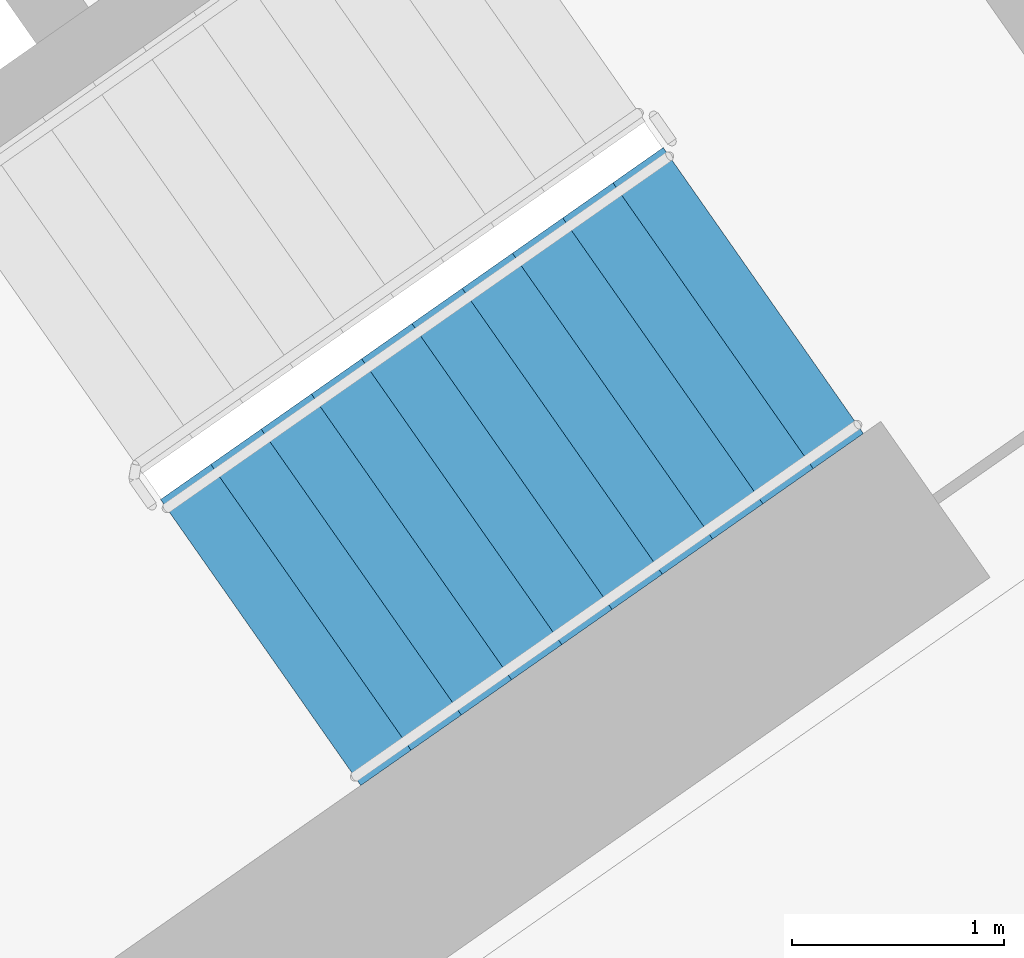
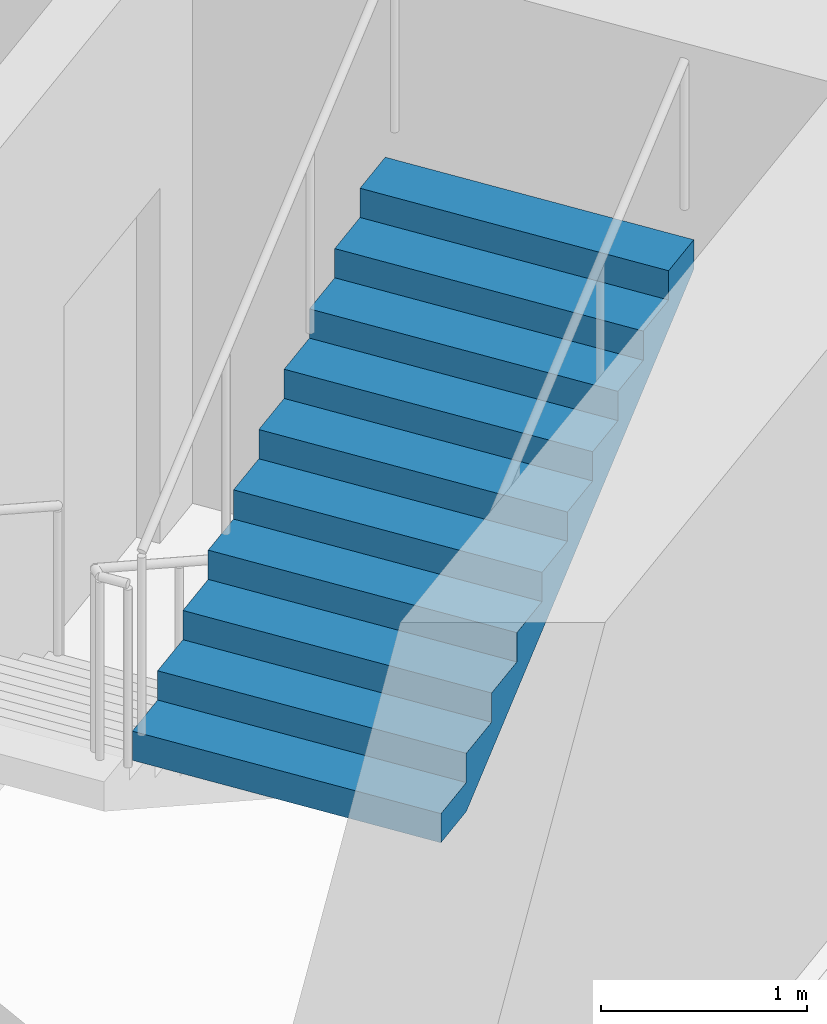
# One storey, part 16 of 29: 1 stair flight, 1 element without a shape of its own.
"""IFC4 building model written with IfcOpenShell, lengths in metres."""

from ifc_helpers import new_model, si_unit, direction, frame, origin, place, context, subcontext, project, spatial, faceted_brep, material, type_object, element, aggregate, save


model = new_model("IFC4")

# Units and contexts
model_context = context("Model", 3, precision=1e-05, world=origin(), true_north=direction((0.0, 1.0)))
body_context = subcontext(model_context, "Body", "Model", "MODEL_VIEW")
ifc_project = project(units=[si_unit("LENGTHUNIT", "METRE"), si_unit("AREAUNIT", "SQUARE_METRE"), si_unit("VOLUMEUNIT", "CUBIC_METRE"), si_unit("PLANEANGLEUNIT", "RADIAN"), si_unit("MASSUNIT", "GRAM", prefix="KILO")], contexts=[model_context])

# Site, building, storey
site_placement = place(None, origin())
site = spatial("IfcSite", under=ifc_project, at=site_placement, CompositionType="ELEMENT")
building_placement = place(site_placement, origin())
building = spatial("IfcBuilding", under=site, at=building_placement, Name="Qamariyya Broadcast Tower", CompositionType="ELEMENT")
storey_placement = place(building_placement, frame((0.0, 0.0, 106.300048828125)))
storey = spatial("IfcBuildingStorey", under=building, at=storey_placement, Name="L23", CompositionType="ELEMENT", Elevation=106.300048828125)

# Stair, stair flight
ifc_material = material(Name="Concrete C50/60", Category="concrete")
stair_type = type_object("IfcStairType", Name="Exit stair 22 risers of 173 mm", PredefinedType="HALF_TURN_STAIR", material=ifc_material)
stair_placement = place(storey_placement, origin())
stair = element("IfcStair", 1, at=stair_placement, inside=storey, type_object=stair_type, Name="L23 Stair E1", PredefinedType="HALF_TURN_STAIR")
stair_flight_type = type_object("IfcStairFlightType", Name="Exit stair flight 11 risers of 173 mm", PredefinedType="STRAIGHT", material=ifc_material)
stair_flight_placement = place(storey_placement, frame((44.693359375, -58.64599609375, 1.89990234375), z_axis=(0.0, 0.0, 1.0), x_axis=(0.819152044289, 0.573576436351, 0.0)))
stair_flight = element("IfcStairFlight", 2, at=stair_flight_placement, type_object=stair_flight_type, Name="ST-E1 flight 2", NumberOfRisers=11, NumberOfTreads=10, PredefinedType="STRAIGHT", RiserHeight=0.172727273, TreadLength=0.29, context=body_context, shape_type="Brep", body=[
    faceted_brep([(0.0, 0.824951171875, 0.0), (0.0, 0.824951171875, 0.172607421875), (0.2900390625, 0.824951171875, 0.172607421875), (0.2900390625, 0.824951171875, 0.345458984375), (0.580078125, 0.824951171875, 0.345458984375), (0.580078125, 0.824951171875, 0.51806640625), (0.8701171875, 0.824951171875, 0.51806640625), (0.8701171875, 0.824951171875, 0.69091796875), (1.159912109375, 0.824951171875, 0.69091796875), (1.159912109375, 0.824951171875, 0.863525390625), (1.449951171875, 0.824951171875, 0.863525390625), (1.449951171875, 0.824951171875, 1.036376953125), (1.739990234375, 0.824951171875, 1.036376953125), (1.739990234375, 0.824951171875, 1.208984375), (2.030029296875, 0.824951171875, 1.208984375), (2.030029296875, 0.824951171875, 1.3818359375), (2.320068359375, 0.824951171875, 1.3818359375), (2.320068359375, 0.824951171875, 1.554443359375), (2.610107421875, 0.824951171875, 1.554443359375), (2.610107421875, 0.824951171875, 1.727294921875), (2.89990234375, 0.824951171875, 1.727294921875), (2.89990234375, 0.824951171875, 1.552734375), (0.29296875, 0.824951171875, 0.0), (0.29296875, -0.824951171875, 0.0), (2.89990234375, -0.824951171875, 1.552734375), (2.89990234375, -0.824951171875, 1.727294921875), (2.610107421875, -0.824951171875, 1.727294921875), (2.610107421875, -0.824951171875, 1.554443359375), (2.320068359375, -0.824951171875, 1.554443359375), (2.320068359375, -0.824951171875, 1.3818359375), (2.030029296875, -0.824951171875, 1.3818359375), (2.030029296875, -0.824951171875, 1.208984375), (1.739990234375, -0.824951171875, 1.208984375), (1.739990234375, -0.824951171875, 1.036376953125), (1.449951171875, -0.824951171875, 1.036376953125), (1.449951171875, -0.824951171875, 0.863525390625), (1.159912109375, -0.824951171875, 0.863525390625), (1.159912109375, -0.824951171875, 0.69091796875), (0.8701171875, -0.824951171875, 0.69091796875), (0.8701171875, -0.824951171875, 0.51806640625), (0.580078125, -0.824951171875, 0.51806640625), (0.580078125, -0.824951171875, 0.345458984375), (0.2900390625, -0.824951171875, 0.345458984375), (0.2900390625, -0.824951171875, 0.172607421875), (0.0, -0.824951171875, 0.172607421875), (0.0, -0.824951171875, 0.0), (0.0, 0.10009765625, 0.0), (0.0, 0.086669921875, 0.0), (0.0, 0.0732421875, 0.0), (0.0, 0.06005859375, 0.0), (0.0, 0.046630859375, 0.0), (0.0, 0.033447265625, 0.0), (0.0, 0.02001953125, 0.0), (0.0, 0.006591796875, 0.0), (0.0, -0.006591796875, 0.0), (0.0, -0.02001953125, 0.0), (0.0, -0.033447265625, 0.0), (0.0, -0.046630859375, 0.0), (0.0, -0.06005859375, 0.0), (0.0, -0.0732421875, 0.0), (0.0, -0.086669921875, 0.0), (0.0, -0.10009765625, 0.0), (0.0, -0.10009765625, 0.172607421875), (0.0, -0.086669921875, 0.172607421875), (0.0, -0.0732421875, 0.172607421875), (0.0, -0.06005859375, 0.172607421875), (0.0, -0.046630859375, 0.172607421875), (0.0, -0.033447265625, 0.172607421875), (0.0, -0.02001953125, 0.172607421875), (0.0, -0.006591796875, 0.172607421875), (0.0, 0.006591796875, 0.172607421875), (0.0, 0.02001953125, 0.172607421875), (0.0, 0.033447265625, 0.172607421875), (0.0, 0.046630859375, 0.172607421875), (0.0, 0.06005859375, 0.172607421875), (0.0, 0.0732421875, 0.172607421875), (0.0, 0.086669921875, 0.172607421875), (0.0, 0.10009765625, 0.172607421875), (0.2900390625, -0.10009765625, 0.172607421875), (0.2900390625, -0.086669921875, 0.172607421875), (0.2900390625, -0.0732421875, 0.172607421875), (0.2900390625, -0.06005859375, 0.172607421875), (0.2900390625, -0.046630859375, 0.172607421875), (0.2900390625, -0.033447265625, 0.172607421875), (0.2900390625, -0.02001953125, 0.172607421875), (0.2900390625, -0.006591796875, 0.172607421875), (0.2900390625, 0.006591796875, 0.172607421875), (0.2900390625, 0.02001953125, 0.172607421875), (0.2900390625, 0.033447265625, 0.172607421875), (0.2900390625, 0.046630859375, 0.172607421875), (0.2900390625, 0.06005859375, 0.172607421875), (0.2900390625, 0.0732421875, 0.172607421875), (0.2900390625, 0.086669921875, 0.172607421875), (0.2900390625, 0.10009765625, 0.172607421875), (0.2900390625, -0.10009765625, 0.345458984375), (0.2900390625, -0.086669921875, 0.345458984375), (0.2900390625, -0.0732421875, 0.345458984375), (0.2900390625, -0.06005859375, 0.345458984375), (0.2900390625, -0.046630859375, 0.345458984375), (0.2900390625, -0.033447265625, 0.345458984375), (0.2900390625, -0.02001953125, 0.345458984375), (0.2900390625, -0.006591796875, 0.345458984375), (0.2900390625, 0.006591796875, 0.345458984375), (0.2900390625, 0.02001953125, 0.345458984375), (0.2900390625, 0.033447265625, 0.345458984375), (0.2900390625, 0.046630859375, 0.345458984375), (0.2900390625, 0.06005859375, 0.345458984375), (0.2900390625, 0.0732421875, 0.345458984375), (0.2900390625, 0.086669921875, 0.345458984375), (0.2900390625, 0.10009765625, 0.345458984375), (0.580078125, -0.10009765625, 0.345458984375), (0.580078125, -0.086669921875, 0.345458984375), (0.580078125, -0.0732421875, 0.345458984375), (0.580078125, -0.06005859375, 0.345458984375), (0.580078125, -0.046630859375, 0.345458984375), (0.580078125, -0.033447265625, 0.345458984375), (0.580078125, -0.02001953125, 0.345458984375), (0.580078125, -0.006591796875, 0.345458984375), (0.580078125, 0.006591796875, 0.345458984375), (0.580078125, 0.02001953125, 0.345458984375), (0.580078125, 0.033447265625, 0.345458984375), (0.580078125, 0.046630859375, 0.345458984375), (0.580078125, 0.06005859375, 0.345458984375), (0.580078125, 0.0732421875, 0.345458984375), (0.580078125, 0.086669921875, 0.345458984375), (0.580078125, 0.10009765625, 0.345458984375), (0.580078125, -0.10009765625, 0.51806640625), (0.580078125, -0.086669921875, 0.51806640625), (0.580078125, -0.0732421875, 0.51806640625), (0.580078125, -0.06005859375, 0.51806640625), (0.580078125, -0.046630859375, 0.51806640625), (0.580078125, -0.033447265625, 0.51806640625), (0.580078125, -0.02001953125, 0.51806640625), (0.580078125, -0.006591796875, 0.51806640625), (0.580078125, 0.006591796875, 0.51806640625), (0.580078125, 0.02001953125, 0.51806640625), (0.580078125, 0.033447265625, 0.51806640625), (0.580078125, 0.046630859375, 0.51806640625), (0.580078125, 0.06005859375, 0.51806640625), (0.580078125, 0.0732421875, 0.51806640625), (0.580078125, 0.086669921875, 0.51806640625), (0.580078125, 0.10009765625, 0.51806640625), (0.8701171875, -0.10009765625, 0.51806640625), (0.8701171875, -0.086669921875, 0.51806640625), (0.8701171875, -0.0732421875, 0.51806640625), (0.8701171875, -0.06005859375, 0.51806640625), (0.8701171875, -0.046630859375, 0.51806640625), (0.8701171875, -0.033447265625, 0.51806640625), (0.8701171875, -0.02001953125, 0.51806640625), (0.8701171875, -0.006591796875, 0.51806640625), (0.8701171875, 0.006591796875, 0.51806640625), (0.8701171875, 0.02001953125, 0.51806640625), (0.8701171875, 0.033447265625, 0.51806640625), (0.8701171875, 0.046630859375, 0.51806640625), (0.8701171875, 0.06005859375, 0.51806640625), (0.8701171875, 0.0732421875, 0.51806640625), (0.8701171875, 0.086669921875, 0.51806640625), (0.8701171875, 0.10009765625, 0.51806640625), (0.8701171875, -0.10009765625, 0.69091796875), (0.8701171875, -0.086669921875, 0.69091796875), (0.8701171875, -0.0732421875, 0.69091796875), (0.8701171875, -0.06005859375, 0.69091796875), (0.8701171875, -0.046630859375, 0.69091796875), (0.8701171875, -0.033447265625, 0.69091796875), (0.8701171875, -0.02001953125, 0.69091796875), (0.8701171875, -0.006591796875, 0.69091796875), (0.8701171875, 0.006591796875, 0.69091796875), (0.8701171875, 0.02001953125, 0.69091796875), (0.8701171875, 0.033447265625, 0.69091796875), (0.8701171875, 0.046630859375, 0.69091796875), (0.8701171875, 0.06005859375, 0.69091796875), (0.8701171875, 0.0732421875, 0.69091796875), (0.8701171875, 0.086669921875, 0.69091796875), (0.8701171875, 0.10009765625, 0.69091796875), (1.159912109375, -0.10009765625, 0.69091796875), (1.159912109375, -0.086669921875, 0.69091796875), (1.159912109375, -0.0732421875, 0.69091796875), (1.159912109375, -0.06005859375, 0.69091796875), (1.159912109375, -0.046630859375, 0.69091796875), (1.159912109375, -0.033447265625, 0.69091796875), (1.159912109375, -0.02001953125, 0.69091796875), (1.159912109375, -0.006591796875, 0.69091796875), (1.159912109375, 0.006591796875, 0.69091796875), (1.159912109375, 0.02001953125, 0.69091796875), (1.159912109375, 0.033447265625, 0.69091796875), (1.159912109375, 0.046630859375, 0.69091796875), (1.159912109375, 0.06005859375, 0.69091796875), (1.159912109375, 0.0732421875, 0.69091796875), (1.159912109375, 0.086669921875, 0.69091796875), (1.159912109375, 0.10009765625, 0.69091796875), (1.159912109375, -0.10009765625, 0.863525390625), (1.159912109375, -0.086669921875, 0.863525390625), (1.159912109375, -0.0732421875, 0.863525390625), (1.159912109375, -0.06005859375, 0.863525390625), (1.159912109375, -0.046630859375, 0.863525390625), (1.159912109375, -0.033447265625, 0.863525390625), (1.159912109375, -0.02001953125, 0.863525390625), (1.159912109375, -0.006591796875, 0.863525390625), (1.159912109375, 0.006591796875, 0.863525390625), (1.159912109375, 0.02001953125, 0.863525390625), (1.159912109375, 0.033447265625, 0.863525390625), (1.159912109375, 0.046630859375, 0.863525390625), (1.159912109375, 0.06005859375, 0.863525390625), (1.159912109375, 0.0732421875, 0.863525390625), (1.159912109375, 0.086669921875, 0.863525390625), (1.159912109375, 0.10009765625, 0.863525390625), (1.449951171875, -0.10009765625, 0.863525390625), (1.449951171875, -0.086669921875, 0.863525390625), (1.449951171875, -0.0732421875, 0.863525390625), (1.449951171875, -0.06005859375, 0.863525390625), (1.449951171875, -0.046630859375, 0.863525390625), (1.449951171875, -0.033447265625, 0.863525390625), (1.449951171875, -0.02001953125, 0.863525390625), (1.449951171875, -0.006591796875, 0.863525390625), (1.449951171875, 0.006591796875, 0.863525390625), (1.449951171875, 0.02001953125, 0.863525390625), (1.449951171875, 0.033447265625, 0.863525390625), (1.449951171875, 0.046630859375, 0.863525390625), (1.449951171875, 0.06005859375, 0.863525390625), (1.449951171875, 0.0732421875, 0.863525390625), (1.449951171875, 0.086669921875, 0.863525390625), (1.449951171875, 0.10009765625, 0.863525390625), (1.449951171875, -0.10009765625, 1.036376953125), (1.449951171875, -0.086669921875, 1.036376953125), (1.449951171875, -0.0732421875, 1.036376953125), (1.449951171875, -0.06005859375, 1.036376953125), (1.449951171875, -0.046630859375, 1.036376953125), (1.449951171875, -0.033447265625, 1.036376953125), (1.449951171875, -0.02001953125, 1.036376953125), (1.449951171875, -0.006591796875, 1.036376953125), (1.449951171875, 0.006591796875, 1.036376953125), (1.449951171875, 0.02001953125, 1.036376953125), (1.449951171875, 0.033447265625, 1.036376953125), (1.449951171875, 0.046630859375, 1.036376953125), (1.449951171875, 0.06005859375, 1.036376953125), (1.449951171875, 0.0732421875, 1.036376953125), (1.449951171875, 0.086669921875, 1.036376953125), (1.449951171875, 0.10009765625, 1.036376953125), (1.739990234375, -0.10009765625, 1.036376953125), (1.739990234375, -0.086669921875, 1.036376953125), (1.739990234375, -0.0732421875, 1.036376953125), (1.739990234375, -0.06005859375, 1.036376953125), (1.739990234375, -0.046630859375, 1.036376953125), (1.739990234375, -0.033447265625, 1.036376953125), (1.739990234375, -0.02001953125, 1.036376953125), (1.739990234375, -0.006591796875, 1.036376953125), (1.739990234375, 0.006591796875, 1.036376953125), (1.739990234375, 0.02001953125, 1.036376953125), (1.739990234375, 0.033447265625, 1.036376953125), (1.739990234375, 0.046630859375, 1.036376953125), (1.739990234375, 0.06005859375, 1.036376953125), (1.739990234375, 0.0732421875, 1.036376953125), (1.739990234375, 0.086669921875, 1.036376953125), (1.739990234375, 0.10009765625, 1.036376953125), (1.739990234375, -0.10009765625, 1.208984375), (1.739990234375, -0.086669921875, 1.208984375), (1.739990234375, -0.0732421875, 1.208984375), (1.739990234375, -0.06005859375, 1.208984375), (1.739990234375, -0.046630859375, 1.208984375), (1.739990234375, -0.033447265625, 1.208984375), (1.739990234375, -0.02001953125, 1.208984375), (1.739990234375, -0.006591796875, 1.208984375), (1.739990234375, 0.006591796875, 1.208984375), (1.739990234375, 0.02001953125, 1.208984375), (1.739990234375, 0.033447265625, 1.208984375), (1.739990234375, 0.046630859375, 1.208984375), (1.739990234375, 0.06005859375, 1.208984375), (1.739990234375, 0.0732421875, 1.208984375), (1.739990234375, 0.086669921875, 1.208984375), (1.739990234375, 0.10009765625, 1.208984375), (2.030029296875, -0.10009765625, 1.208984375), (2.030029296875, -0.086669921875, 1.208984375), (2.030029296875, -0.0732421875, 1.208984375), (2.030029296875, -0.06005859375, 1.208984375), (2.030029296875, -0.046630859375, 1.208984375), (2.030029296875, -0.033447265625, 1.208984375), (2.030029296875, -0.02001953125, 1.208984375), (2.030029296875, -0.006591796875, 1.208984375), (2.030029296875, 0.006591796875, 1.208984375), (2.030029296875, 0.02001953125, 1.208984375), (2.030029296875, 0.033447265625, 1.208984375), (2.030029296875, 0.046630859375, 1.208984375), (2.030029296875, 0.06005859375, 1.208984375), (2.030029296875, 0.0732421875, 1.208984375), (2.030029296875, 0.086669921875, 1.208984375), (2.030029296875, 0.10009765625, 1.208984375), (2.030029296875, -0.10009765625, 1.3818359375), (2.030029296875, -0.086669921875, 1.3818359375), (2.030029296875, -0.0732421875, 1.3818359375), (2.030029296875, -0.06005859375, 1.3818359375), (2.030029296875, -0.046630859375, 1.3818359375), (2.030029296875, -0.033447265625, 1.3818359375), (2.030029296875, -0.02001953125, 1.3818359375), (2.030029296875, -0.006591796875, 1.3818359375), (2.030029296875, 0.006591796875, 1.3818359375), (2.030029296875, 0.02001953125, 1.3818359375), (2.030029296875, 0.033447265625, 1.3818359375), (2.030029296875, 0.046630859375, 1.3818359375), (2.030029296875, 0.06005859375, 1.3818359375), (2.030029296875, 0.0732421875, 1.3818359375), (2.030029296875, 0.086669921875, 1.3818359375), (2.030029296875, 0.10009765625, 1.3818359375), (2.320068359375, -0.10009765625, 1.3818359375), (2.320068359375, -0.086669921875, 1.3818359375), (2.320068359375, -0.0732421875, 1.3818359375), (2.320068359375, -0.06005859375, 1.3818359375), (2.320068359375, -0.046630859375, 1.3818359375), (2.320068359375, -0.033447265625, 1.3818359375), (2.320068359375, -0.02001953125, 1.3818359375), (2.320068359375, -0.006591796875, 1.3818359375), (2.320068359375, 0.006591796875, 1.3818359375), (2.320068359375, 0.02001953125, 1.3818359375), (2.320068359375, 0.033447265625, 1.3818359375), (2.320068359375, 0.046630859375, 1.3818359375), (2.320068359375, 0.06005859375, 1.3818359375), (2.320068359375, 0.0732421875, 1.3818359375), (2.320068359375, 0.086669921875, 1.3818359375), (2.320068359375, 0.10009765625, 1.3818359375), (2.320068359375, -0.10009765625, 1.554443359375), (2.320068359375, -0.086669921875, 1.554443359375), (2.320068359375, -0.0732421875, 1.554443359375), (2.320068359375, -0.06005859375, 1.554443359375), (2.320068359375, -0.046630859375, 1.554443359375), (2.320068359375, -0.033447265625, 1.554443359375), (2.320068359375, -0.02001953125, 1.554443359375), (2.320068359375, -0.006591796875, 1.554443359375), (2.320068359375, 0.006591796875, 1.554443359375), (2.320068359375, 0.02001953125, 1.554443359375), (2.320068359375, 0.033447265625, 1.554443359375), (2.320068359375, 0.046630859375, 1.554443359375), (2.320068359375, 0.06005859375, 1.554443359375), (2.320068359375, 0.0732421875, 1.554443359375), (2.320068359375, 0.086669921875, 1.554443359375), (2.320068359375, 0.10009765625, 1.554443359375), (2.610107421875, -0.10009765625, 1.554443359375), (2.610107421875, -0.086669921875, 1.554443359375), (2.610107421875, -0.0732421875, 1.554443359375), (2.610107421875, -0.06005859375, 1.554443359375), (2.610107421875, -0.046630859375, 1.554443359375), (2.610107421875, -0.033447265625, 1.554443359375), (2.610107421875, -0.02001953125, 1.554443359375), (2.610107421875, -0.006591796875, 1.554443359375), (2.610107421875, 0.006591796875, 1.554443359375), (2.610107421875, 0.02001953125, 1.554443359375), (2.610107421875, 0.033447265625, 1.554443359375), (2.610107421875, 0.046630859375, 1.554443359375), (2.610107421875, 0.06005859375, 1.554443359375), (2.610107421875, 0.0732421875, 1.554443359375), (2.610107421875, 0.086669921875, 1.554443359375), (2.610107421875, 0.10009765625, 1.554443359375), (2.610107421875, -0.10009765625, 1.727294921875), (2.610107421875, -0.086669921875, 1.727294921875), (2.610107421875, -0.0732421875, 1.727294921875), (2.610107421875, -0.06005859375, 1.727294921875), (2.610107421875, -0.046630859375, 1.727294921875), (2.610107421875, -0.033447265625, 1.727294921875), (2.610107421875, -0.02001953125, 1.727294921875), (2.610107421875, -0.006591796875, 1.727294921875), (2.610107421875, 0.006591796875, 1.727294921875), (2.610107421875, 0.02001953125, 1.727294921875), (2.610107421875, 0.033447265625, 1.727294921875), (2.610107421875, 0.046630859375, 1.727294921875), (2.610107421875, 0.06005859375, 1.727294921875), (2.610107421875, 0.0732421875, 1.727294921875), (2.610107421875, 0.086669921875, 1.727294921875), (2.610107421875, 0.10009765625, 1.727294921875), (2.89990234375, -0.10009765625, 1.727294921875), (2.89990234375, -0.086669921875, 1.727294921875), (2.89990234375, -0.0732421875, 1.727294921875), (2.89990234375, -0.06005859375, 1.727294921875), (2.89990234375, -0.046630859375, 1.727294921875), (2.89990234375, -0.033447265625, 1.727294921875), (2.89990234375, -0.02001953125, 1.727294921875), (2.89990234375, -0.006591796875, 1.727294921875), (2.89990234375, 0.006591796875, 1.727294921875), (2.89990234375, 0.02001953125, 1.727294921875), (2.89990234375, 0.033447265625, 1.727294921875), (2.89990234375, 0.046630859375, 1.727294921875), (2.89990234375, 0.06005859375, 1.727294921875), (2.89990234375, 0.0732421875, 1.727294921875), (2.89990234375, 0.086669921875, 1.727294921875), (2.89990234375, 0.10009765625, 1.727294921875), (2.89990234375, -0.10009765625, 1.552734375), (2.89990234375, -0.086669921875, 1.552734375), (2.89990234375, -0.0732421875, 1.552734375), (2.89990234375, -0.06005859375, 1.552734375), (2.89990234375, -0.046630859375, 1.552734375), (2.89990234375, -0.033447265625, 1.552734375), (2.89990234375, -0.02001953125, 1.552734375), (2.89990234375, -0.006591796875, 1.552734375), (2.89990234375, 0.006591796875, 1.552734375), (2.89990234375, 0.02001953125, 1.552734375), (2.89990234375, 0.033447265625, 1.552734375), (2.89990234375, 0.046630859375, 1.552734375), (2.89990234375, 0.06005859375, 1.552734375), (2.89990234375, 0.0732421875, 1.552734375), (2.89990234375, 0.086669921875, 1.552734375), (2.89990234375, 0.10009765625, 1.552734375), (0.29296875, -0.10009765625, 0.0), (0.29296875, -0.086669921875, 0.0), (0.29296875, -0.0732421875, 0.0), (0.29296875, -0.06005859375, 0.0), (0.29296875, -0.046630859375, 0.0), (0.29296875, -0.033447265625, 0.0), (0.29296875, -0.02001953125, 0.0), (0.29296875, -0.006591796875, 0.0), (0.29296875, 0.006591796875, 0.0), (0.29296875, 0.02001953125, 0.0), (0.29296875, 0.033447265625, 0.0), (0.29296875, 0.046630859375, 0.0), (0.29296875, 0.06005859375, 0.0), (0.29296875, 0.0732421875, 0.0), (0.29296875, 0.086669921875, 0.0), (0.29296875, 0.10009765625, 0.0)], [[[0, 1, 2, 3, 4, 5, 6, 7, 8, 9, 10, 11, 12, 13, 14, 15, 16, 17, 18, 19, 20, 21, 22]], [[23, 24, 25, 26, 27, 28, 29, 30, 31, 32, 33, 34, 35, 36, 37, 38, 39, 40, 41, 42, 43, 44, 45]], [[0, 46, 47, 48, 49, 50, 51, 52, 53, 54, 55, 56, 57, 58, 59, 60, 61, 45, 44, 62, 63, 64, 65, 66, 67, 68, 69, 70, 71, 72, 73, 74, 75, 76, 77, 1]], [[1, 77, 76, 75, 74, 73, 72, 71, 70, 69, 68, 67, 66, 65, 64, 63, 62, 44, 43, 78, 79, 80, 81, 82, 83, 84, 85, 86, 87, 88, 89, 90, 91, 92, 93, 2]], [[2, 93, 92, 91, 90, 89, 88, 87, 86, 85, 84, 83, 82, 81, 80, 79, 78, 43, 42, 94, 95, 96, 97, 98, 99, 100, 101, 102, 103, 104, 105, 106, 107, 108, 109, 3]], [[3, 109, 108, 107, 106, 105, 104, 103, 102, 101, 100, 99, 98, 97, 96, 95, 94, 42, 41, 110, 111, 112, 113, 114, 115, 116, 117, 118, 119, 120, 121, 122, 123, 124, 125, 4]], [[4, 125, 124, 123, 122, 121, 120, 119, 118, 117, 116, 115, 114, 113, 112, 111, 110, 41, 40, 126, 127, 128, 129, 130, 131, 132, 133, 134, 135, 136, 137, 138, 139, 140, 141, 5]], [[5, 141, 140, 139, 138, 137, 136, 135, 134, 133, 132, 131, 130, 129, 128, 127, 126, 40, 39, 142, 143, 144, 145, 146, 147, 148, 149, 150, 151, 152, 153, 154, 155, 156, 157, 6]], [[6, 157, 156, 155, 154, 153, 152, 151, 150, 149, 148, 147, 146, 145, 144, 143, 142, 39, 38, 158, 159, 160, 161, 162, 163, 164, 165, 166, 167, 168, 169, 170, 171, 172, 173, 7]], [[7, 173, 172, 171, 170, 169, 168, 167, 166, 165, 164, 163, 162, 161, 160, 159, 158, 38, 37, 174, 175, 176, 177, 178, 179, 180, 181, 182, 183, 184, 185, 186, 187, 188, 189, 8]], [[8, 189, 188, 187, 186, 185, 184, 183, 182, 181, 180, 179, 178, 177, 176, 175, 174, 37, 36, 190, 191, 192, 193, 194, 195, 196, 197, 198, 199, 200, 201, 202, 203, 204, 205, 9]], [[9, 205, 204, 203, 202, 201, 200, 199, 198, 197, 196, 195, 194, 193, 192, 191, 190, 36, 35, 206, 207, 208, 209, 210, 211, 212, 213, 214, 215, 216, 217, 218, 219, 220, 221, 10]], [[10, 221, 220, 219, 218, 217, 216, 215, 214, 213, 212, 211, 210, 209, 208, 207, 206, 35, 34, 222, 223, 224, 225, 226, 227, 228, 229, 230, 231, 232, 233, 234, 235, 236, 237, 11]], [[11, 237, 236, 235, 234, 233, 232, 231, 230, 229, 228, 227, 226, 225, 224, 223, 222, 34, 33, 238, 239, 240, 241, 242, 243, 244, 245, 246, 247, 248, 249, 250, 251, 252, 253, 12]], [[12, 253, 252, 251, 250, 249, 248, 247, 246, 245, 244, 243, 242, 241, 240, 239, 238, 33, 32, 254, 255, 256, 257, 258, 259, 260, 261, 262, 263, 264, 265, 266, 267, 268, 269, 13]], [[13, 269, 268, 267, 266, 265, 264, 263, 262, 261, 260, 259, 258, 257, 256, 255, 254, 32, 31, 270, 271, 272, 273, 274, 275, 276, 277, 278, 279, 280, 281, 282, 283, 284, 285, 14]], [[14, 285, 284, 283, 282, 281, 280, 279, 278, 277, 276, 275, 274, 273, 272, 271, 270, 31, 30, 286, 287, 288, 289, 290, 291, 292, 293, 294, 295, 296, 297, 298, 299, 300, 301, 15]], [[15, 301, 300, 299, 298, 297, 296, 295, 294, 293, 292, 291, 290, 289, 288, 287, 286, 30, 29, 302, 303, 304, 305, 306, 307, 308, 309, 310, 311, 312, 313, 314, 315, 316, 317, 16]], [[16, 317, 316, 315, 314, 313, 312, 311, 310, 309, 308, 307, 306, 305, 304, 303, 302, 29, 28, 318, 319, 320, 321, 322, 323, 324, 325, 326, 327, 328, 329, 330, 331, 332, 333, 17]], [[17, 333, 332, 331, 330, 329, 328, 327, 326, 325, 324, 323, 322, 321, 320, 319, 318, 28, 27, 334, 335, 336, 337, 338, 339, 340, 341, 342, 343, 344, 345, 346, 347, 348, 349, 18]], [[18, 349, 348, 347, 346, 345, 344, 343, 342, 341, 340, 339, 338, 337, 336, 335, 334, 27, 26, 350, 351, 352, 353, 354, 355, 356, 357, 358, 359, 360, 361, 362, 363, 364, 365, 19]], [[19, 365, 364, 363, 362, 361, 360, 359, 358, 357, 356, 355, 354, 353, 352, 351, 350, 26, 25, 366, 367, 368, 369, 370, 371, 372, 373, 374, 375, 376, 377, 378, 379, 380, 381, 20]], [[20, 381, 380, 379, 378, 377, 376, 375, 374, 373, 372, 371, 370, 369, 368, 367, 366, 25, 24, 382, 383, 384, 385, 386, 387, 388, 389, 390, 391, 392, 393, 394, 395, 396, 397, 21]], [[21, 397, 396, 395, 394, 393, 392, 391, 390, 389, 388, 387, 386, 385, 384, 383, 382, 24, 23, 398, 399, 400, 401, 402, 403, 404, 405, 406, 407, 408, 409, 410, 411, 412, 413, 22]], [[22, 413, 412, 411, 410, 409, 408, 407, 406, 405, 404, 403, 402, 401, 400, 399, 398, 23, 45, 61, 60, 59, 58, 57, 56, 55, 54, 53, 52, 51, 50, 49, 48, 47, 46, 0]]]),
])
aggregate(stair, [stair_flight])

save(model, "model.ifc")
